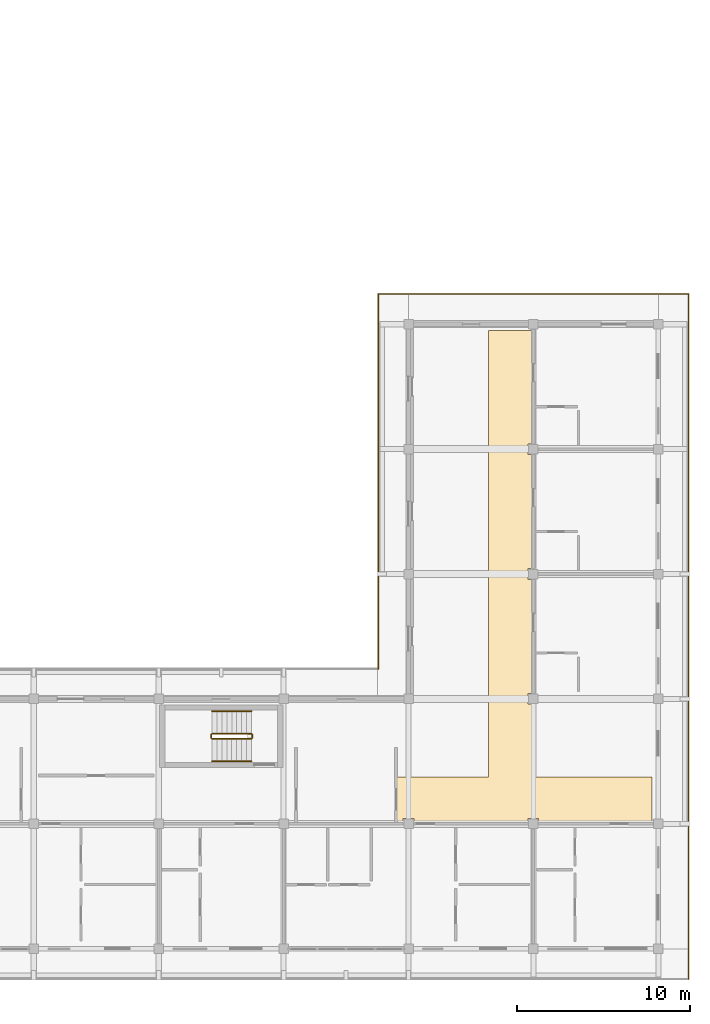
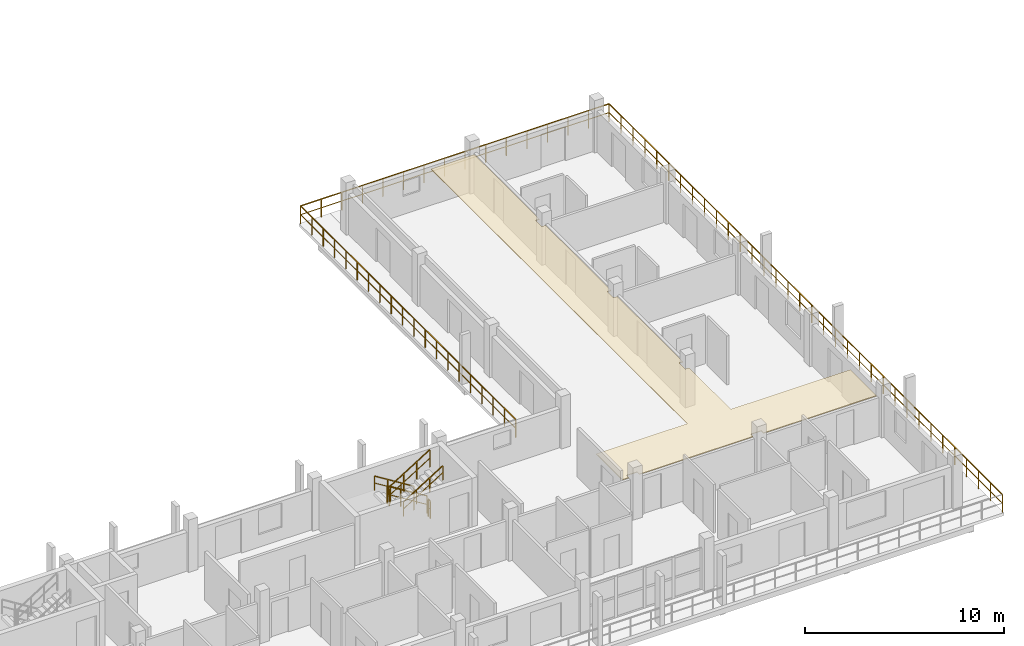
# One storey, part 63 of 67: 9 railings, 1 covering.
"""IFC4 building model written with IfcOpenShell, lengths in metres."""

from ifc_helpers import new_model, si_unit, direction, frame, origin, origin_2d, place, context, subcontext, project, spatial, polyline, rectangle, outline, extrude, material, layer, layer_set, type_object, element, save


model = new_model("IFC4")

# Units and contexts
model_context = context("Model", 3, precision=1e-05, world=origin(), true_north=direction((0.0, 1.0)))
body_context = subcontext(model_context, "Body", "Model", "MODEL_VIEW")
ifc_project = project(units=[si_unit("LENGTHUNIT", "METRE"), si_unit("AREAUNIT", "SQUARE_METRE"), si_unit("VOLUMEUNIT", "CUBIC_METRE"), si_unit("PLANEANGLEUNIT", "RADIAN"), si_unit("MASSUNIT", "GRAM", prefix="KILO")], contexts=[model_context])

# Site, building, storey
site_placement = place(None, origin())
site = spatial("IfcSite", under=ifc_project, at=site_placement, CompositionType="ELEMENT")
building_placement = place(site_placement, origin())
building = spatial("IfcBuilding", under=site, at=building_placement, Name="Suanplinth Sawtooth Commons", CompositionType="ELEMENT")
storey_placement = place(building_placement, frame((0.0, 0.0, 25.10009765625)))
storey = spatial("IfcBuildingStorey", under=building, at=storey_placement, Name="L07", CompositionType="ELEMENT", Elevation=25.10009765625)

# Covering
ifc_material_1 = material(Name="Mineral fibre acoustic tile")
ifc_layer = layer(ifc_material_1, 0.0400390625, Name="Perforated mineral-fibre acoustic suspended ceiling")
ifc_layer_set = layer_set([ifc_layer], Name="Mineral fibre acoustic tile")
covering_type = type_object("IfcCoveringType", Name="CV-CE01", PredefinedType="CEILING", material=ifc_layer_set)
covering_placement = place(storey_placement, frame((0.0, 0.0, 2.3798828125)))
element("IfcCovering", 1, at=covering_placement, inside=storey, type_object=covering_type, Name="L07 Block C Corridor Acoustic Ceiling", PredefinedType="CEILING", context=body_context, shape_type="SweptSolid", body=[
    extrude(outline(polyline([(172.1201171875, 9.89990234375), (177.39990234375, 9.89990234375), (177.39990234375, 35.639892578125), (179.919921875, 35.639892578125), (179.919921875, 29.10498046875), (179.695068359375, 29.10498046875), (179.695068359375, 28.4951171875), (179.919921875, 28.4951171875), (179.919921875, 21.905029296875), (179.695068359375, 21.905029296875), (179.695068359375, 21.294921875), (179.919921875, 21.294921875), (179.919921875, 14.705078125), (179.695068359375, 14.705078125), (179.695068359375, 14.094970703125), (179.919921875, 14.094970703125), (179.919921875, 9.89990234375), (186.840087890625, 9.89990234375), (186.840087890625, 7.280029296875), (180.304931640625, 7.280029296875), (180.304931640625, 7.5048828125), (179.695068359375, 7.5048828125), (179.695068359375, 7.280029296875), (173.10498046875, 7.280029296875), (173.10498046875, 7.5048828125), (172.4951171875, 7.5048828125), (172.4951171875, 7.280029296875), (172.1201171875, 7.280029296875), (172.1201171875, 9.89990234375)])), origin(), (0.0, 0.0, 1.0), 0.0400390625),
])

# Railings
ifc_material_2 = material(Name="Powder-coated galvanized steel", Category="steel")
railing_type_1 = type_object("IfcRailingType", Name="GR-01", PredefinedType="BALUSTRADE", material=ifc_material_2)
railing_1_placement = place(storey_placement, frame((171.06005859375, 16.139892578125, 0.0)))
element("IfcRailing", 2, at=railing_1_placement, inside=storey, type_object=railing_type_1, Name="L07 Block C Perimeter Balustrade 3", PredefinedType="BALUSTRADE", context=body_context, shape_type="SweptSolid", body=[
    extrude(rectangle(XDim=0.048095703125, YDim=0.048095703125, at=origin_2d()), frame((0.0, 0.0, 1.09619140625), z_axis=(0.0, 1.0, 0.0), x_axis=(-1.0, 0.0, 0.0)), (0.0, 0.0, 1.0), 21.60009765625),
    extrude(rectangle(XDim=0.03369140625, YDim=0.03369140625, at=origin_2d()), frame((0.0, 0.0, 0.56005859375), z_axis=(0.0, 1.0, 0.0), x_axis=(-1.0, 0.0, 0.0)), (0.0, 0.0, 1.0), 21.60009765625),
    extrude(rectangle(XDim=0.0419921875, YDim=0.0419921875, at=origin_2d()), origin(), (0.0, 0.0, 1.0), 1.072021484375),
    extrude(rectangle(XDim=0.0419921875, YDim=0.0419921875, at=origin_2d()), frame((0.0, 1.136962890625, 0.0)), (0.0, 0.0, 1.0), 1.072021484375),
    extrude(rectangle(XDim=0.0419921875, YDim=0.0419921875, at=origin_2d()), frame((0.0, 2.273681640625, 0.0)), (0.0, 0.0, 1.0), 1.072021484375),
    extrude(rectangle(XDim=0.0419921875, YDim=0.0419921875, at=origin_2d()), frame((0.0, 3.41064453125, 0.0)), (0.0, 0.0, 1.0), 1.072021484375),
    extrude(rectangle(XDim=0.0419921875, YDim=0.0419921875, at=origin_2d()), frame((0.0, 4.54736328125, 0.0)), (0.0, 0.0, 1.0), 1.072021484375),
    extrude(rectangle(XDim=0.0419921875, YDim=0.0419921875, at=origin_2d()), frame((0.0, 5.684326171875, 0.0)), (0.0, 0.0, 1.0), 1.072021484375),
    extrude(rectangle(XDim=0.0419921875, YDim=0.0419921875, at=origin_2d()), frame((0.0, 6.821044921875, 0.0)), (0.0, 0.0, 1.0), 1.072021484375),
    extrude(rectangle(XDim=0.0419921875, YDim=0.0419921875, at=origin_2d()), frame((0.0, 7.9580078125, 0.0)), (0.0, 0.0, 1.0), 1.072021484375),
    extrude(rectangle(XDim=0.0419921875, YDim=0.0419921875, at=origin_2d()), frame((0.0, 9.0947265625, 0.0)), (0.0, 0.0, 1.0), 1.072021484375),
    extrude(rectangle(XDim=0.0419921875, YDim=0.0419921875, at=origin_2d()), frame((0.0, 10.231689453125, 0.0)), (0.0, 0.0, 1.0), 1.072021484375),
    extrude(rectangle(XDim=0.0419921875, YDim=0.0419921875, at=origin_2d()), frame((0.0, 11.368408203125, 0.0)), (0.0, 0.0, 1.0), 1.072021484375),
    extrude(rectangle(XDim=0.0419921875, YDim=0.0419921875, at=origin_2d()), frame((0.0, 12.50537109375, 0.0)), (0.0, 0.0, 1.0), 1.072021484375),
    extrude(rectangle(XDim=0.0419921875, YDim=0.0419921875, at=origin_2d()), frame((0.0, 13.64208984375, 0.0)), (0.0, 0.0, 1.0), 1.072021484375),
    extrude(rectangle(XDim=0.0419921875, YDim=0.0419921875, at=origin_2d()), frame((0.0, 14.779052734375, 0.0)), (0.0, 0.0, 1.0), 1.072021484375),
    extrude(rectangle(XDim=0.0419921875, YDim=0.0419921875, at=origin_2d()), frame((0.0, 15.915771484375, 0.0)), (0.0, 0.0, 1.0), 1.072021484375),
    extrude(rectangle(XDim=0.0419921875, YDim=0.0419921875, at=origin_2d()), frame((0.0, 17.052734375, 0.0)), (0.0, 0.0, 1.0), 1.072021484375),
    extrude(rectangle(XDim=0.0419921875, YDim=0.0419921875, at=origin_2d()), frame((0.0, 18.189453125, 0.0)), (0.0, 0.0, 1.0), 1.072021484375),
    extrude(rectangle(XDim=0.0419921875, YDim=0.0419921875, at=origin_2d()), frame((0.0, 19.326416015625, 0.0)), (0.0, 0.0, 1.0), 1.072021484375),
    extrude(rectangle(XDim=0.0419921875, YDim=0.0419921875, at=origin_2d()), frame((0.0, 20.463134765625, 0.0)), (0.0, 0.0, 1.0), 1.072021484375),
    extrude(rectangle(XDim=0.0419921875, YDim=0.0419921875, at=origin_2d()), frame((0.0, 21.60009765625, 0.0)), (0.0, 0.0, 1.0), 1.072021484375),
])
railing_2_placement = place(storey_placement, frame((171.06005859375, 37.739990234375, 0.0)))
element("IfcRailing", 3, at=railing_2_placement, inside=storey, type_object=railing_type_1, Name="L07 Block C Perimeter Balustrade 4", PredefinedType="BALUSTRADE", context=body_context, shape_type="SweptSolid", body=[
    extrude(rectangle(XDim=0.048095703125, YDim=0.048095703125, at=origin_2d()), frame((0.0, 0.0, 1.09619140625), z_axis=(1.0, 0.0, 0.0), x_axis=(0.0, 1.0, 0.0)), (0.0, 0.0, 1.0), 17.8798828125),
    extrude(rectangle(XDim=0.03369140625, YDim=0.03369140625, at=origin_2d()), frame((0.0, 0.0, 0.56005859375), z_axis=(1.0, 0.0, 0.0), x_axis=(0.0, 1.0, 0.0)), (0.0, 0.0, 1.0), 17.8798828125),
    extrude(rectangle(XDim=0.0419921875, YDim=0.0419921875, at=origin_2d()), origin(), (0.0, 0.0, 1.0), 1.072021484375),
    extrude(rectangle(XDim=0.0419921875, YDim=0.0419921875, at=origin_2d()), frame((1.19189453125, 0.0, 0.0)), (0.0, 0.0, 1.0), 1.072021484375),
    extrude(rectangle(XDim=0.0419921875, YDim=0.0419921875, at=origin_2d()), frame((2.384033203125, 0.0, 0.0)), (0.0, 0.0, 1.0), 1.072021484375),
    extrude(rectangle(XDim=0.0419921875, YDim=0.0419921875, at=origin_2d()), frame((3.575927734375, 0.0, 0.0)), (0.0, 0.0, 1.0), 1.072021484375),
    extrude(rectangle(XDim=0.0419921875, YDim=0.0419921875, at=origin_2d()), frame((4.76806640625, 0.0, 0.0)), (0.0, 0.0, 1.0), 1.072021484375),
    extrude(rectangle(XDim=0.0419921875, YDim=0.0419921875, at=origin_2d()), frame((5.9599609375, 0.0, 0.0)), (0.0, 0.0, 1.0), 1.072021484375),
    extrude(rectangle(XDim=0.0419921875, YDim=0.0419921875, at=origin_2d()), frame((7.15185546875, 0.0, 0.0)), (0.0, 0.0, 1.0), 1.072021484375),
    extrude(rectangle(XDim=0.0419921875, YDim=0.0419921875, at=origin_2d()), frame((8.343994140625, 0.0, 0.0)), (0.0, 0.0, 1.0), 1.072021484375),
    extrude(rectangle(XDim=0.0419921875, YDim=0.0419921875, at=origin_2d()), frame((9.535888671875, 0.0, 0.0)), (0.0, 0.0, 1.0), 1.072021484375),
    extrude(rectangle(XDim=0.0419921875, YDim=0.0419921875, at=origin_2d()), frame((10.72802734375, 0.0, 0.0)), (0.0, 0.0, 1.0), 1.072021484375),
    extrude(rectangle(XDim=0.0419921875, YDim=0.0419921875, at=origin_2d()), frame((11.919921875, 0.0, 0.0)), (0.0, 0.0, 1.0), 1.072021484375),
    extrude(rectangle(XDim=0.0419921875, YDim=0.0419921875, at=origin_2d()), frame((13.11181640625, 0.0, 0.0)), (0.0, 0.0, 1.0), 1.072021484375),
    extrude(rectangle(XDim=0.0419921875, YDim=0.0419921875, at=origin_2d()), frame((14.303955078125, 0.0, 0.0)), (0.0, 0.0, 1.0), 1.072021484375),
    extrude(rectangle(XDim=0.0419921875, YDim=0.0419921875, at=origin_2d()), frame((15.495849609375, 0.0, 0.0)), (0.0, 0.0, 1.0), 1.072021484375),
    extrude(rectangle(XDim=0.0419921875, YDim=0.0419921875, at=origin_2d()), frame((16.68798828125, 0.0, 0.0)), (0.0, 0.0, 1.0), 1.072021484375),
    extrude(rectangle(XDim=0.0419921875, YDim=0.0419921875, at=origin_2d()), frame((17.8798828125, 0.0, 0.0)), (0.0, 0.0, 1.0), 1.072021484375),
])
railing_3_placement = place(storey_placement, frame((188.93994140625, 37.739990234375, 0.0)))
element("IfcRailing", 4, at=railing_3_placement, inside=storey, type_object=railing_type_1, Name="L07 Block C Perimeter Balustrade 5", PredefinedType="BALUSTRADE", context=body_context, shape_type="SweptSolid", body=[
    extrude(rectangle(XDim=0.048095703125, YDim=0.048095703125, at=origin_2d()), frame((0.0, 0.0, 1.09619140625), z_axis=(0.0, -1.0, 0.0), x_axis=(1.0, 0.0, 0.0)), (0.0, 0.0, 1.0), 39.47998046875),
    extrude(rectangle(XDim=0.03369140625, YDim=0.03369140625, at=origin_2d()), frame((0.0, 0.0, 0.56005859375), z_axis=(0.0, -1.0, 0.0), x_axis=(1.0, 0.0, 0.0)), (0.0, 0.0, 1.0), 39.47998046875),
    extrude(rectangle(XDim=0.0419921875, YDim=0.0419921875, at=origin_2d()), origin(), (0.0, 0.0, 1.0), 1.072021484375),
    extrude(rectangle(XDim=0.0419921875, YDim=0.0419921875, at=origin_2d()), frame((0.0, -1.1962890625, 0.0)), (0.0, 0.0, 1.0), 1.072021484375),
    extrude(rectangle(XDim=0.0419921875, YDim=0.0419921875, at=origin_2d()), frame((0.0, -2.392822265625, 0.0)), (0.0, 0.0, 1.0), 1.072021484375),
    extrude(rectangle(XDim=0.0419921875, YDim=0.0419921875, at=origin_2d()), frame((0.0, -3.589111328125, 0.0)), (0.0, 0.0, 1.0), 1.072021484375),
    extrude(rectangle(XDim=0.0419921875, YDim=0.0419921875, at=origin_2d()), frame((0.0, -4.785400390625, 0.0)), (0.0, 0.0, 1.0), 1.072021484375),
    extrude(rectangle(XDim=0.0419921875, YDim=0.0419921875, at=origin_2d()), frame((0.0, -5.98193359375, 0.0)), (0.0, 0.0, 1.0), 1.072021484375),
    extrude(rectangle(XDim=0.0419921875, YDim=0.0419921875, at=origin_2d()), frame((0.0, -7.17822265625, 0.0)), (0.0, 0.0, 1.0), 1.072021484375),
    extrude(rectangle(XDim=0.0419921875, YDim=0.0419921875, at=origin_2d()), frame((0.0, -8.37451171875, 0.0)), (0.0, 0.0, 1.0), 1.072021484375),
    extrude(rectangle(XDim=0.0419921875, YDim=0.0419921875, at=origin_2d()), frame((0.0, -9.57080078125, 0.0)), (0.0, 0.0, 1.0), 1.072021484375),
    extrude(rectangle(XDim=0.0419921875, YDim=0.0419921875, at=origin_2d()), frame((0.0, -10.767333984375, 0.0)), (0.0, 0.0, 1.0), 1.072021484375),
    extrude(rectangle(XDim=0.0419921875, YDim=0.0419921875, at=origin_2d()), frame((0.0, -11.963623046875, 0.0)), (0.0, 0.0, 1.0), 1.072021484375),
    extrude(rectangle(XDim=0.0419921875, YDim=0.0419921875, at=origin_2d()), frame((0.0, -13.159912109375, 0.0)), (0.0, 0.0, 1.0), 1.072021484375),
    extrude(rectangle(XDim=0.0419921875, YDim=0.0419921875, at=origin_2d()), frame((0.0, -14.3564453125, 0.0)), (0.0, 0.0, 1.0), 1.072021484375),
    extrude(rectangle(XDim=0.0419921875, YDim=0.0419921875, at=origin_2d()), frame((0.0, -15.552734375, 0.0)), (0.0, 0.0, 1.0), 1.072021484375),
    extrude(rectangle(XDim=0.0419921875, YDim=0.0419921875, at=origin_2d()), frame((0.0, -16.7490234375, 0.0)), (0.0, 0.0, 1.0), 1.072021484375),
    extrude(rectangle(XDim=0.0419921875, YDim=0.0419921875, at=origin_2d()), frame((0.0, -17.945556640625, 0.0)), (0.0, 0.0, 1.0), 1.072021484375),
    extrude(rectangle(XDim=0.0419921875, YDim=0.0419921875, at=origin_2d()), frame((0.0, -19.141845703125, 0.0)), (0.0, 0.0, 1.0), 1.072021484375),
    extrude(rectangle(XDim=0.0419921875, YDim=0.0419921875, at=origin_2d()), frame((0.0, -20.338134765625, 0.0)), (0.0, 0.0, 1.0), 1.072021484375),
    extrude(rectangle(XDim=0.0419921875, YDim=0.0419921875, at=origin_2d()), frame((0.0, -21.534423828125, 0.0)), (0.0, 0.0, 1.0), 1.072021484375),
    extrude(rectangle(XDim=0.0419921875, YDim=0.0419921875, at=origin_2d()), frame((0.0, -22.73095703125, 0.0)), (0.0, 0.0, 1.0), 1.072021484375),
    extrude(rectangle(XDim=0.0419921875, YDim=0.0419921875, at=origin_2d()), frame((0.0, -23.92724609375, 0.0)), (0.0, 0.0, 1.0), 1.072021484375),
    extrude(rectangle(XDim=0.0419921875, YDim=0.0419921875, at=origin_2d()), frame((0.0, -25.12353515625, 0.0)), (0.0, 0.0, 1.0), 1.072021484375),
    extrude(rectangle(XDim=0.0419921875, YDim=0.0419921875, at=origin_2d()), frame((0.0, -26.320068359375, 0.0)), (0.0, 0.0, 1.0), 1.072021484375),
    extrude(rectangle(XDim=0.0419921875, YDim=0.0419921875, at=origin_2d()), frame((0.0, -27.516357421875, 0.0)), (0.0, 0.0, 1.0), 1.072021484375),
    extrude(rectangle(XDim=0.0419921875, YDim=0.0419921875, at=origin_2d()), frame((0.0, -28.712646484375, 0.0)), (0.0, 0.0, 1.0), 1.072021484375),
    extrude(rectangle(XDim=0.0419921875, YDim=0.0419921875, at=origin_2d()), frame((0.0, -29.9091796875, 0.0)), (0.0, 0.0, 1.0), 1.072021484375),
    extrude(rectangle(XDim=0.0419921875, YDim=0.0419921875, at=origin_2d()), frame((0.0, -31.10546875, 0.0)), (0.0, 0.0, 1.0), 1.072021484375),
    extrude(rectangle(XDim=0.0419921875, YDim=0.0419921875, at=origin_2d()), frame((0.0, -32.3017578125, 0.0)), (0.0, 0.0, 1.0), 1.072021484375),
    extrude(rectangle(XDim=0.0419921875, YDim=0.0419921875, at=origin_2d()), frame((0.0, -33.498046875, 0.0)), (0.0, 0.0, 1.0), 1.072021484375),
    extrude(rectangle(XDim=0.0419921875, YDim=0.0419921875, at=origin_2d()), frame((0.0, -34.694580078125, 0.0)), (0.0, 0.0, 1.0), 1.072021484375),
    extrude(rectangle(XDim=0.0419921875, YDim=0.0419921875, at=origin_2d()), frame((0.0, -35.890869140625, 0.0)), (0.0, 0.0, 1.0), 1.072021484375),
    extrude(rectangle(XDim=0.0419921875, YDim=0.0419921875, at=origin_2d()), frame((0.0, -37.087158203125, 0.0)), (0.0, 0.0, 1.0), 1.072021484375),
    extrude(rectangle(XDim=0.0419921875, YDim=0.0419921875, at=origin_2d()), frame((0.0, -38.28369140625, 0.0)), (0.0, 0.0, 1.0), 1.072021484375),
    extrude(rectangle(XDim=0.0419921875, YDim=0.0419921875, at=origin_2d()), frame((0.0, -39.47998046875, 0.0)), (0.0, 0.0, 1.0), 1.072021484375),
])
ifc_material_3 = material(Name="Stainless steel Grade 304", Category="steel")
railing_type_2 = type_object("IfcRailingType", Name="GR-04", PredefinedType="GUARDRAIL", material=ifc_material_3)
railing_4_placement = place(storey_placement, frame((163.75, 12.39990234375, 0.177734375)))
element("IfcRailing", 5, at=railing_4_placement, inside=storey, type_object=railing_type_2, Name="L07 ST-S2 Guard 1", PredefinedType="GUARDRAIL", context=body_context, shape_type="SweptSolid", body=[
    extrude(rectangle(XDim=0.048095703125, YDim=0.048095703125, at=origin_2d()), frame((0.0, 0.0, 1.076171875), z_axis=(-0.848482842525, 0.0, 0.529222888715), x_axis=(0.0, -1.0, 0.0)), (0.0, 0.0, 1.0), 2.687255859375),
    extrude(rectangle(XDim=0.03369140625, YDim=0.03369140625, at=origin_2d()), frame((0.0, 0.0, 0.550048828125), z_axis=(-0.848482842525, 0.0, 0.529222888715), x_axis=(0.0, -1.0, 0.0)), (0.0, 0.0, 1.0), 2.687255859375),
    extrude(rectangle(XDim=0.0419921875, YDim=0.0419921875, at=origin_2d()), origin(), (0.0, 0.0, 1.0), 1.052001953125),
    extrude(rectangle(XDim=0.0419921875, YDim=0.0419921875, at=origin_2d()), frame((-0.760009765625, 0.0, 0.47412109375)), (0.0, 0.0, 1.0), 1.052001953125),
    extrude(rectangle(XDim=0.0419921875, YDim=0.0419921875, at=origin_2d()), frame((-1.52001953125, 0.0, 0.947998046875)), (0.0, 0.0, 1.0), 1.052001953125),
    extrude(rectangle(XDim=0.0419921875, YDim=0.0419921875, at=origin_2d()), frame((-2.280029296875, 0.0, 1.422119140625)), (0.0, 0.0, 1.0), 1.052001953125),
])
railing_5_placement = place(storey_placement, frame((161.419921875, 12.35009765625, 1.599853515625)))
element("IfcRailing", 6, at=railing_5_placement, inside=storey, type_object=railing_type_2, Name="L07 ST-S2 Guard 2", PredefinedType="GUARDRAIL", context=body_context, shape_type="SweptSolid", body=[
    extrude(rectangle(XDim=0.048095703125, YDim=0.048095703125, at=origin_2d()), frame((0.0, 0.0, 1.076171875), z_axis=(0.0, -1.0, 0.0), x_axis=(1.0, 0.0, 0.0)), (0.0, 0.0, 1.0), 0.2001953125),
    extrude(rectangle(XDim=0.03369140625, YDim=0.03369140625, at=origin_2d()), frame((0.0, 0.0, 0.550048828125), z_axis=(0.0, -1.0, 0.0), x_axis=(1.0, 0.0, 0.0)), (0.0, 0.0, 1.0), 0.2001953125),
    extrude(rectangle(XDim=0.0419921875, YDim=0.0419921875, at=origin_2d()), origin(), (0.0, 0.0, 1.0), 1.052001953125),
    extrude(rectangle(XDim=0.0419921875, YDim=0.0419921875, at=origin_2d()), frame((0.0, -0.2001953125, 0.0)), (0.0, 0.0, 1.0), 1.052001953125),
])
railing_6_placement = place(storey_placement, frame((161.469970703125, 12.10009765625, 1.777587890625)))
element("IfcRailing", 7, at=railing_6_placement, inside=storey, type_object=railing_type_2, Name="L07 ST-S2 Guard 3", PredefinedType="GUARDRAIL", context=body_context, shape_type="SweptSolid", body=[
    extrude(rectangle(XDim=0.048095703125, YDim=0.048095703125, at=origin_2d()), frame((0.0, 0.0, 1.076171875), z_axis=(0.848442045328, 0.0, 0.529288291689), x_axis=(0.0, 1.0, 0.0)), (0.0, 0.0, 1.0), 2.687255859375),
    extrude(rectangle(XDim=0.03369140625, YDim=0.03369140625, at=origin_2d()), frame((0.0, 0.0, 0.550048828125), z_axis=(0.848442045328, 0.0, 0.529288291689), x_axis=(0.0, 1.0, 0.0)), (0.0, 0.0, 1.0), 2.687255859375),
    extrude(rectangle(XDim=0.0419921875, YDim=0.0419921875, at=origin_2d()), origin(), (0.0, 0.0, 1.0), 1.052001953125),
    extrude(rectangle(XDim=0.0419921875, YDim=0.0419921875, at=origin_2d()), frame((0.760009765625, 0.0, 0.47412109375)), (0.0, 0.0, 1.0), 1.052001953125),
    extrude(rectangle(XDim=0.0419921875, YDim=0.0419921875, at=origin_2d()), frame((1.52001953125, 0.0, 0.9482421875)), (0.0, 0.0, 1.0), 1.052001953125),
    extrude(rectangle(XDim=0.0419921875, YDim=0.0419921875, at=origin_2d()), frame((2.280029296875, 0.0, 1.42236328125)), (0.0, 0.0, 1.0), 1.052001953125),
])
railing_7_placement = place(storey_placement, frame((163.800048828125, 12.35009765625, 0.0)))
element("IfcRailing", 8, at=railing_7_placement, inside=storey, type_object=railing_type_2, Name="L07 ST-S2 Guard 4", PredefinedType="GUARDRAIL", context=body_context, shape_type="SweptSolid", body=[
    extrude(rectangle(XDim=0.048095703125, YDim=0.048095703125, at=origin_2d()), frame((0.0, 0.0, 1.076171875), z_axis=(0.0, -1.0, 0.0), x_axis=(1.0, 0.0, 0.0)), (0.0, 0.0, 1.0), 0.2001953125),
    extrude(rectangle(XDim=0.03369140625, YDim=0.03369140625, at=origin_2d()), frame((0.0, 0.0, 0.550048828125), z_axis=(0.0, -1.0, 0.0), x_axis=(1.0, 0.0, 0.0)), (0.0, 0.0, 1.0), 0.2001953125),
    extrude(rectangle(XDim=0.0419921875, YDim=0.0419921875, at=origin_2d()), origin(), (0.0, 0.0, 1.0), 1.052001953125),
    extrude(rectangle(XDim=0.0419921875, YDim=0.0419921875, at=origin_2d()), frame((0.0, -0.2001953125, 0.0)), (0.0, 0.0, 1.0), 1.052001953125),
])
railing_type_3 = type_object("IfcRailingType", Name="HR-01", PredefinedType="HANDRAIL", material=ifc_material_3)
railing_8_placement = place(storey_placement, frame((163.75, 13.699951171875, 0.177734375)))
element("IfcRailing", 9, at=railing_8_placement, inside=storey, type_object=railing_type_3, Name="L07 ST-S2 Handrail 1", PredefinedType="HANDRAIL", context=body_context, shape_type="SweptSolid", body=[
    extrude(rectangle(XDim=0.048095703125, YDim=0.048095703125, at=origin_2d()), frame((0.0, 0.0, 0.8759765625), z_axis=(-0.848482842525, 0.0, 0.529222888715), x_axis=(0.0, -1.0, 0.0)), (0.0, 0.0, 1.0), 2.687255859375),
    extrude(rectangle(XDim=0.03369140625, YDim=0.03369140625, at=origin_2d()), frame((0.0, 0.0, 0.449951171875), z_axis=(-0.848482842525, 0.0, 0.529222888715), x_axis=(0.0, -1.0, 0.0)), (0.0, 0.0, 1.0), 2.687255859375),
    extrude(rectangle(XDim=0.0419921875, YDim=0.0419921875, at=origin_2d()), origin(), (0.0, 0.0, 1.0), 0.851806640625),
    extrude(rectangle(XDim=0.0419921875, YDim=0.0419921875, at=origin_2d()), frame((-0.760009765625, 0.0, 0.47412109375)), (0.0, 0.0, 1.0), 0.851806640625),
    extrude(rectangle(XDim=0.0419921875, YDim=0.0419921875, at=origin_2d()), frame((-1.52001953125, 0.0, 0.947998046875)), (0.0, 0.0, 1.0), 0.851806640625),
    extrude(rectangle(XDim=0.0419921875, YDim=0.0419921875, at=origin_2d()), frame((-2.280029296875, 0.0, 1.422119140625)), (0.0, 0.0, 1.0), 0.851806640625),
])
railing_9_placement = place(storey_placement, frame((161.469970703125, 10.800048828125, 1.777587890625)))
element("IfcRailing", 10, at=railing_9_placement, inside=storey, type_object=railing_type_3, Name="L07 ST-S2 Handrail 2", PredefinedType="HANDRAIL", context=body_context, shape_type="SweptSolid", body=[
    extrude(rectangle(XDim=0.048095703125, YDim=0.048095703125, at=origin_2d()), frame((0.0, 0.0, 0.8759765625), z_axis=(0.848442045328, 0.0, 0.529288291689), x_axis=(0.0, 1.0, 0.0)), (0.0, 0.0, 1.0), 2.687255859375),
    extrude(rectangle(XDim=0.03369140625, YDim=0.03369140625, at=origin_2d()), frame((0.0, 0.0, 0.449951171875), z_axis=(0.848442045328, 0.0, 0.529288291689), x_axis=(0.0, 1.0, 0.0)), (0.0, 0.0, 1.0), 2.687255859375),
    extrude(rectangle(XDim=0.0419921875, YDim=0.0419921875, at=origin_2d()), origin(), (0.0, 0.0, 1.0), 0.851806640625),
    extrude(rectangle(XDim=0.0419921875, YDim=0.0419921875, at=origin_2d()), frame((0.760009765625, 0.0, 0.47412109375)), (0.0, 0.0, 1.0), 0.851806640625),
    extrude(rectangle(XDim=0.0419921875, YDim=0.0419921875, at=origin_2d()), frame((1.52001953125, 0.0, 0.9482421875)), (0.0, 0.0, 1.0), 0.851806640625),
    extrude(rectangle(XDim=0.0419921875, YDim=0.0419921875, at=origin_2d()), frame((2.280029296875, 0.0, 1.42236328125)), (0.0, 0.0, 1.0), 0.851806640625),
])

save(model, "model.ifc")
